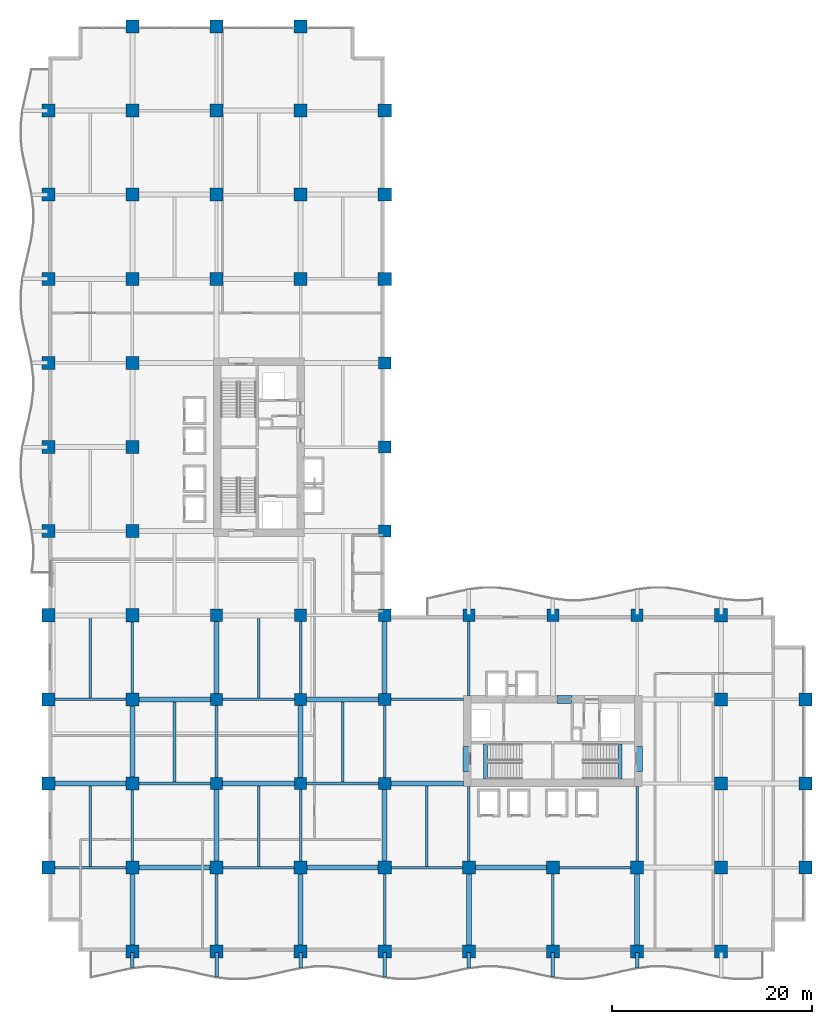
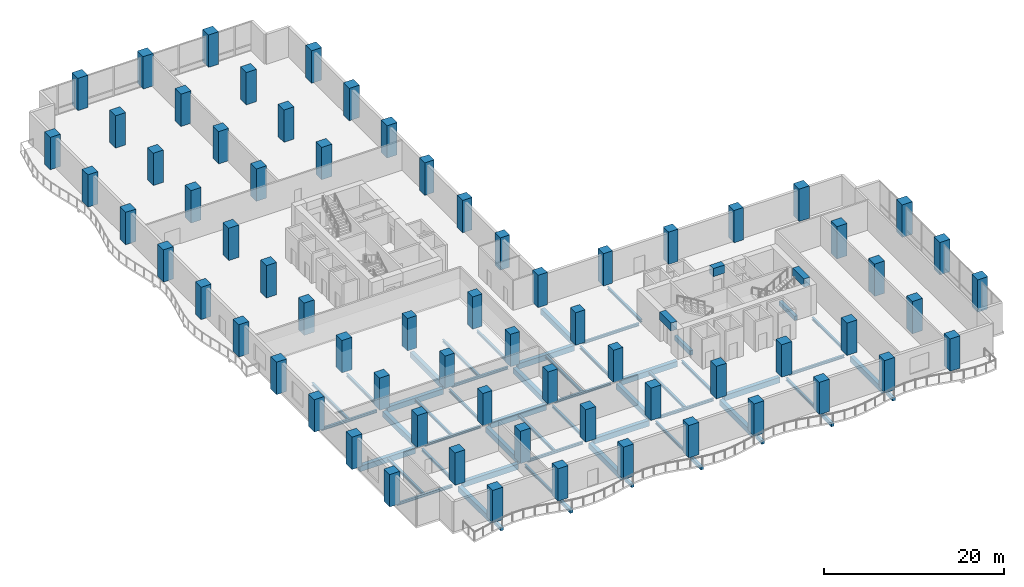
# One storey, part 1 of 24: 68 columns, 58 beams.
"""IFC4 building model written with IfcOpenShell, lengths in metres."""

from ifc_helpers import new_model, si_unit, direction, frame, origin, origin_2d, place, context, subcontext, project, spatial, rectangle, i_section, extrude, material, material_profile, profile_set, type_object, element, save


model = new_model("IFC4")

# Units and contexts
model_context = context("Model", 3, precision=1e-05, world=origin(), true_north=direction((0.0, 1.0)))
body_context = subcontext(model_context, "Body", "Model", "MODEL_VIEW")
ifc_project = project(units=[si_unit("LENGTHUNIT", "METRE"), si_unit("AREAUNIT", "SQUARE_METRE"), si_unit("VOLUMEUNIT", "CUBIC_METRE"), si_unit("PLANEANGLEUNIT", "RADIAN"), si_unit("MASSUNIT", "GRAM", prefix="KILO")], contexts=[model_context])

# Site, building, storey
site_placement = place(None, origin())
site = spatial("IfcSite", under=ifc_project, at=site_placement, CompositionType="ELEMENT")
building_placement = place(site_placement, origin())
building = spatial("IfcBuilding", under=site, at=building_placement, Name="Koriwani Terraces Tower", CompositionType="ELEMENT")
storey_placement = place(building_placement, frame((0.0, 0.0, 89.60009765625)))
storey = spatial("IfcBuildingStorey", under=building, at=storey_placement, Name="L21", CompositionType="ELEMENT", Elevation=89.60009765625)

# Columns
ifc_material_1 = material(Name="Concrete C60/75", Category="concrete")
ifc_material_profile_1 = material_profile(ifc_material_1, rectangle(XDim=1.199951171875, YDim=1.199951171875, at=origin_2d()), Name="Concrete C60/75", Category="LoadBearing")
ifc_profile_set_1 = profile_set([ifc_material_profile_1], Name="Concrete C60/75")
column_type_1 = type_object("IfcColumnType", Name="COL_RC_1200X1200", PredefinedType="COLUMN", material=ifc_profile_set_1)
for number, where, z_axis, x_axis, name in (
    (1, (16.800048828125, 16.800048828125, 0.0), (0.0, 0.0, 1.0), (1.0, 0.0, 0.0), "L21 Column 3/C"),
    (2, (16.800048828125, 25.199951171875, 0.0), (0.0, 0.0, 1.0), (1.0, 0.0, 0.0), "L21 Column 3/D"),
    (3, (16.800048828125, 33.60009765625, 0.0), (0.0, 0.0, 1.0), (1.0, 0.0, 0.0), "L21 Column 3/E"),
    (4, (25.199951171875, 16.800048828125, 0.0), (0.0, 0.0, 1.0), (1.0, 0.0, 0.0), "L21 Column 4/C"),
    (5, (25.199951171875, 25.199951171875, 0.0), (0.0, 0.0, 1.0), (1.0, 0.0, 0.0), "L21 Column 4/D"),
    (6, (25.199951171875, 33.60009765625, 0.0), (0.0, 0.0, 1.0), (1.0, 0.0, 0.0), "L21 Column 4/E"),
    (7, (33.60009765625, 16.800048828125, 0.0), (0.0, 0.0, 1.0), (1.0, 0.0, 0.0), "L21 Column 5/C"),
    (8, (33.60009765625, 25.199951171875, 0.0), (0.0, 0.0, 1.0), (1.0, 0.0, 0.0), "L21 Column 5/D"),
    (9, (33.60009765625, 33.60009765625, 0.0), (0.0, 0.0, 1.0), (1.0, 0.0, 0.0), "L21 Column 5/E"),
    (10, (33.60009765625, 42.0, 0.0), (0.0, 0.0, 1.0), (1.0, 0.0, 0.0), "L21 Column 5/F"),
    (11, (33.60009765625, 50.39990234375, 0.0), (0.0, 0.0, 1.0), (1.0, 0.0, 0.0), "L21 Column 5/G"),
    (12, (33.60009765625, 58.800048828125, 0.0), (0.0, 0.0, 1.0), (1.0, 0.0, 0.0), "L21 Column 5/H"),
    (13, (42.0, 33.60009765625, 0.0), (0.0, 0.0, 1.0), (1.0, 0.0, 0.0), "L21 Column 6/E"),
    (14, (50.39990234375, 33.60009765625, 0.0), (0.0, 0.0, 1.0), (1.0, 0.0, 0.0), "L21 Column 7/E"),
    (15, (58.800048828125, 33.60009765625, 0.0), (0.0, 0.0, 1.0), (1.0, 0.0, 0.0), "L21 Column 8/E"),
):
    element("IfcColumn", number, at=place(storey_placement, frame(where, z_axis=z_axis, x_axis=x_axis)), inside=storey, type_object=column_type_1, Name=name, PredefinedType="COLUMN", context=body_context, shape_type="SweptSolid", body=[
        extrude(rectangle(XDim=1.199951171875, YDim=1.199951171875, at=origin_2d()), origin(), (0.0, 0.0, 1.0), 4.39990234375),
    ])
ifc_material_profile_2 = material_profile(ifc_material_1, rectangle(XDim=1.300048828125, YDim=1.300048828125, at=origin_2d()), Name="Concrete C60/75", Category="LoadBearing")
ifc_profile_set_2 = profile_set([ifc_material_profile_2], Name="Concrete C60/75")
column_type_2 = type_object("IfcColumnType", Name="COL_RC_1300X1300", PredefinedType="COLUMN", material=ifc_profile_set_2)
for number, where, z_axis, x_axis, name in (
    (16, (0.0, 8.39990234375, 0.0), (0.0, 0.0, 1.0), (1.0, 0.0, 0.0), "L21 Column 1/B"),
    (17, (0.0, 16.800048828125, 0.0), (0.0, 0.0, 1.0), (1.0, 0.0, 0.0), "L21 Column 1/C"),
    (18, (0.0, 25.199951171875, 0.0), (0.0, 0.0, 1.0), (1.0, 0.0, 0.0), "L21 Column 1/D"),
    (19, (0.0, 33.60009765625, 0.0), (0.0, 0.0, 1.0), (1.0, 0.0, 0.0), "L21 Column 1/E"),
    (20, (0.0, 42.0, 0.0), (0.0, 0.0, 1.0), (1.0, 0.0, 0.0), "L21 Column 1/F"),
    (21, (0.0, 50.39990234375, 0.0), (0.0, 0.0, 1.0), (1.0, 0.0, 0.0), "L21 Column 1/G"),
    (22, (0.0, 58.800048828125, 0.0), (0.0, 0.0, 1.0), (1.0, 0.0, 0.0), "L21 Column 1/H"),
    (23, (0.0, 67.199951171875, 0.0), (0.0, 0.0, 1.0), (1.0, 0.0, 0.0), "L21 Column 1/I"),
    (24, (0.0, 75.60009765625, 0.0), (0.0, 0.0, 1.0), (1.0, 0.0, 0.0), "L21 Column 1/J"),
    (25, (0.0, 84.0, 0.0), (0.0, 0.0, 1.0), (1.0, 0.0, 0.0), "L21 Column 1/K"),
    (26, (8.39990234375, 0.0, 0.0), (0.0, 0.0, 1.0), (1.0, 0.0, 0.0), "L21 Column 2/A"),
    (27, (8.39990234375, 8.39990234375, 0.0), (0.0, 0.0, 1.0), (1.0, 0.0, 0.0), "L21 Column 2/B"),
    (28, (8.39990234375, 16.800048828125, 0.0), (0.0, 0.0, 1.0), (1.0, 0.0, 0.0), "L21 Column 2/C"),
    (29, (8.39990234375, 25.199951171875, 0.0), (0.0, 0.0, 1.0), (1.0, 0.0, 0.0), "L21 Column 2/D"),
    (30, (8.39990234375, 33.60009765625, 0.0), (0.0, 0.0, 1.0), (1.0, 0.0, 0.0), "L21 Column 2/E"),
    (31, (8.39990234375, 42.0, 0.0), (0.0, 0.0, 1.0), (1.0, 0.0, 0.0), "L21 Column 2/F"),
    (32, (8.39990234375, 50.39990234375, 0.0), (0.0, 0.0, 1.0), (1.0, 0.0, 0.0), "L21 Column 2/G"),
    (33, (8.39990234375, 58.800048828125, 0.0), (0.0, 0.0, 1.0), (1.0, 0.0, 0.0), "L21 Column 2/H"),
    (34, (8.39990234375, 67.199951171875, 0.0), (0.0, 0.0, 1.0), (1.0, 0.0, 0.0), "L21 Column 2/I"),
    (35, (8.39990234375, 75.60009765625, 0.0), (0.0, 0.0, 1.0), (1.0, 0.0, 0.0), "L21 Column 2/J"),
    (36, (8.39990234375, 84.0, 0.0), (0.0, 0.0, 1.0), (1.0, 0.0, 0.0), "L21 Column 2/K"),
    (37, (8.39990234375, 92.39990234375, 0.0), (0.0, 0.0, 1.0), (1.0, 0.0, 0.0), "L21 Column 2/L"),
    (38, (16.800048828125, 0.0, 0.0), (0.0, 0.0, 1.0), (1.0, 0.0, 0.0), "L21 Column 3/A"),
    (39, (16.800048828125, 8.39990234375, 0.0), (0.0, 0.0, 1.0), (1.0, 0.0, 0.0), "L21 Column 3/B"),
    (40, (16.800048828125, 67.199951171875, 0.0), (0.0, 0.0, 1.0), (1.0, 0.0, 0.0), "L21 Column 3/I"),
    (41, (16.800048828125, 75.60009765625, 0.0), (0.0, 0.0, 1.0), (1.0, 0.0, 0.0), "L21 Column 3/J"),
    (42, (16.800048828125, 84.0, 0.0), (0.0, 0.0, 1.0), (1.0, 0.0, 0.0), "L21 Column 3/K"),
    (43, (16.800048828125, 92.39990234375, 0.0), (0.0, 0.0, 1.0), (1.0, 0.0, 0.0), "L21 Column 3/L"),
    (44, (25.199951171875, 0.0, 0.0), (0.0, 0.0, 1.0), (1.0, 0.0, 0.0), "L21 Column 4/A"),
    (45, (25.199951171875, 8.39990234375, 0.0), (0.0, 0.0, 1.0), (1.0, 0.0, 0.0), "L21 Column 4/B"),
    (46, (25.199951171875, 67.199951171875, 0.0), (0.0, 0.0, 1.0), (1.0, 0.0, 0.0), "L21 Column 4/I"),
    (47, (25.199951171875, 75.60009765625, 0.0), (0.0, 0.0, 1.0), (1.0, 0.0, 0.0), "L21 Column 4/J"),
    (48, (25.199951171875, 84.0, 0.0), (0.0, 0.0, 1.0), (1.0, 0.0, 0.0), "L21 Column 4/K"),
    (49, (25.199951171875, 92.39990234375, 0.0), (0.0, 0.0, 1.0), (1.0, 0.0, 0.0), "L21 Column 4/L"),
    (50, (33.60009765625, 0.0, 0.0), (0.0, 0.0, 1.0), (1.0, 0.0, 0.0), "L21 Column 5/A"),
    (51, (33.60009765625, 8.39990234375, 0.0), (0.0, 0.0, 1.0), (1.0, 0.0, 0.0), "L21 Column 5/B"),
    (52, (33.60009765625, 67.199951171875, 0.0), (0.0, 0.0, 1.0), (1.0, 0.0, 0.0), "L21 Column 5/I"),
    (53, (33.60009765625, 75.60009765625, 0.0), (0.0, 0.0, 1.0), (1.0, 0.0, 0.0), "L21 Column 5/J"),
    (54, (33.60009765625, 84.0, 0.0), (0.0, 0.0, 1.0), (1.0, 0.0, 0.0), "L21 Column 5/K"),
    (55, (42.0, 0.0, 0.0), (0.0, 0.0, 1.0), (1.0, 0.0, 0.0), "L21 Column 6/A"),
    (56, (42.0, 8.39990234375, 0.0), (0.0, 0.0, 1.0), (1.0, 0.0, 0.0), "L21 Column 6/B"),
    (57, (50.39990234375, 0.0, 0.0), (0.0, 0.0, 1.0), (1.0, 0.0, 0.0), "L21 Column 7/A"),
    (58, (50.39990234375, 8.39990234375, 0.0), (0.0, 0.0, 1.0), (1.0, 0.0, 0.0), "L21 Column 7/B"),
    (59, (58.800048828125, 0.0, 0.0), (0.0, 0.0, 1.0), (1.0, 0.0, 0.0), "L21 Column 8/A"),
    (60, (58.800048828125, 8.39990234375, 0.0), (0.0, 0.0, 1.0), (1.0, 0.0, 0.0), "L21 Column 8/B"),
    (61, (67.199951171875, 0.0, 0.0), (0.0, 0.0, 1.0), (1.0, 0.0, 0.0), "L21 Column 9/A"),
    (62, (67.199951171875, 8.39990234375, 0.0), (0.0, 0.0, 1.0), (1.0, 0.0, 0.0), "L21 Column 9/B"),
    (63, (67.199951171875, 16.800048828125, 0.0), (0.0, 0.0, 1.0), (1.0, 0.0, 0.0), "L21 Column 9/C"),
    (64, (67.199951171875, 25.199951171875, 0.0), (0.0, 0.0, 1.0), (1.0, 0.0, 0.0), "L21 Column 9/D"),
    (65, (67.199951171875, 33.60009765625, 0.0), (0.0, 0.0, 1.0), (1.0, 0.0, 0.0), "L21 Column 9/E"),
    (66, (75.60009765625, 8.39990234375, 0.0), (0.0, 0.0, 1.0), (1.0, 0.0, 0.0), "L21 Column 10/B"),
    (67, (75.60009765625, 16.800048828125, 0.0), (0.0, 0.0, 1.0), (1.0, 0.0, 0.0), "L21 Column 10/C"),
    (68, (75.60009765625, 25.199951171875, 0.0), (0.0, 0.0, 1.0), (1.0, 0.0, 0.0), "L21 Column 10/D"),
):
    element("IfcColumn", number, at=place(storey_placement, frame(where, z_axis=z_axis, x_axis=x_axis)), inside=storey, type_object=column_type_2, Name=name, PredefinedType="COLUMN", context=body_context, shape_type="SweptSolid", body=[
        extrude(rectangle(XDim=1.300048828125, YDim=1.300048828125, at=origin_2d()), origin(), (0.0, 0.0, 1.0), 4.39990234375),
    ])

# Beams
ifc_material_2 = material(Name="Concrete C40/50", Category="concrete")
ifc_material_profile_3 = material_profile(ifc_material_2, rectangle(XDim=0.35009765625, YDim=0.449951171875, at=origin_2d()), Name="Concrete C40/50", Category="LoadBearing")
ifc_profile_set_3 = profile_set([ifc_material_profile_3], Name="Concrete C40/50")
beam_type_1 = type_object("IfcBeamType", Name="BEAM_RC_BALCONY_RIB_350X450", PredefinedType="JOIST", material=ifc_profile_set_3)
beam_1_placement = place(storey_placement, frame((8.39990234375, -1.59033203125, -0.47509765625), z_axis=(0.0, 1.0, 0.0), x_axis=(-1.0, 0.0, 0.0)))
element("IfcBeam", 69, at=beam_1_placement, inside=storey, type_object=beam_type_1, Name="L21 Balcony Bracket Rib S-1", PredefinedType="JOIST", context=body_context, shape_type="SweptSolid", body=[
    extrude(rectangle(XDim=0.35009765625, YDim=0.449951171875, at=origin_2d()), origin(), (0.0, 0.0, 1.0), 1.490234375),
])
beam_2_placement = place(storey_placement, frame((16.800048828125, -2.509521484375, -0.47509765625), z_axis=(0.0, 1.0, 0.0), x_axis=(-1.0, 0.0, 0.0)))
element("IfcBeam", 70, at=beam_2_placement, inside=storey, type_object=beam_type_1, Name="L21 Balcony Bracket Rib S-2", PredefinedType="JOIST", context=body_context, shape_type="SweptSolid", body=[
    extrude(rectangle(XDim=0.35009765625, YDim=0.449951171875, at=origin_2d()), origin(), (0.0, 0.0, 1.0), 2.409423828125),
])
beam_3_placement = place(storey_placement, frame((25.199951171875, -1.59033203125, -0.47509765625), z_axis=(0.0, 1.0, 0.0), x_axis=(-1.0, 0.0, 0.0)))
element("IfcBeam", 71, at=beam_3_placement, inside=storey, type_object=beam_type_1, Name="L21 Balcony Bracket Rib S-3", PredefinedType="JOIST", context=body_context, shape_type="SweptSolid", body=[
    extrude(rectangle(XDim=0.35009765625, YDim=0.449951171875, at=origin_2d()), origin(), (0.0, 0.0, 1.0), 1.490234375),
])
beam_4_placement = place(storey_placement, frame((33.60009765625, -2.509521484375, -0.47509765625), z_axis=(0.0, 1.0, 0.0), x_axis=(-1.0, 0.0, 0.0)))
element("IfcBeam", 72, at=beam_4_placement, inside=storey, type_object=beam_type_1, Name="L21 Balcony Bracket Rib S-4", PredefinedType="JOIST", context=body_context, shape_type="SweptSolid", body=[
    extrude(rectangle(XDim=0.35009765625, YDim=0.449951171875, at=origin_2d()), origin(), (0.0, 0.0, 1.0), 2.409423828125),
])
beam_5_placement = place(storey_placement, frame((42.0, -1.59033203125, -0.47509765625), z_axis=(0.0, 1.0, 0.0), x_axis=(-1.0, 0.0, 0.0)))
element("IfcBeam", 73, at=beam_5_placement, inside=storey, type_object=beam_type_1, Name="L21 Balcony Bracket Rib S-5", PredefinedType="JOIST", context=body_context, shape_type="SweptSolid", body=[
    extrude(rectangle(XDim=0.35009765625, YDim=0.449951171875, at=origin_2d()), origin(), (0.0, 0.0, 1.0), 1.490234375),
])
beam_6_placement = place(storey_placement, frame((50.39990234375, -2.509521484375, -0.47509765625), z_axis=(0.0, 1.0, 0.0), x_axis=(-1.0, 0.0, 0.0)))
element("IfcBeam", 74, at=beam_6_placement, inside=storey, type_object=beam_type_1, Name="L21 Balcony Bracket Rib S-6", PredefinedType="JOIST", context=body_context, shape_type="SweptSolid", body=[
    extrude(rectangle(XDim=0.35009765625, YDim=0.449951171875, at=origin_2d()), origin(), (0.0, 0.0, 1.0), 2.409423828125),
])
beam_7_placement = place(storey_placement, frame((58.800048828125, -1.59033203125, -0.47509765625), z_axis=(0.0, 1.0, 0.0), x_axis=(-1.0, 0.0, 0.0)))
element("IfcBeam", 75, at=beam_7_placement, inside=storey, type_object=beam_type_1, Name="L21 Balcony Bracket Rib S-7", PredefinedType="JOIST", context=body_context, shape_type="SweptSolid", body=[
    extrude(rectangle(XDim=0.35009765625, YDim=0.449951171875, at=origin_2d()), origin(), (0.0, 0.0, 1.0), 1.490234375),
])
ifc_material_profile_4 = material_profile(ifc_material_1, rectangle(XDim=0.800048828125, YDim=1.10009765625, at=origin_2d()), Name="Concrete C60/75", Category="LoadBearing")
ifc_profile_set_4 = profile_set([ifc_material_profile_4], Name="Concrete C60/75")
beam_type_2 = type_object("IfcBeamType", Name="BEAM_RC_COUPLING_800X1100", PredefinedType="LINTEL", material=ifc_profile_set_4)
beam_8_placement = place(storey_placement, frame((50.800048828125, 25.199951171875, 3.5), z_axis=(1.0, 0.0, 0.0), x_axis=(0.0, 1.0, 0.0)))
element("IfcBeam", 76, at=beam_8_placement, inside=storey, type_object=beam_type_2, Name="L21 Core Coupling Lintel Beam EN1", PredefinedType="LINTEL", context=body_context, shape_type="SweptSolid", body=[
    extrude(rectangle(XDim=0.800048828125, YDim=1.10009765625, at=origin_2d()), origin(), (0.0, 0.0, 1.0), 1.47998046875),
])
for number, where, z_axis, x_axis, name in (
    (77, (41.824951171875, 18.0, 3.5), (0.0, 1.0, 0.0), (-1.0, 0.0, 0.0), "L21 Core Coupling Lintel Beam EW"),
    (78, (58.925048828125, 18.0, 3.5), (0.0, 1.0, 0.0), (-1.0, 0.0, 0.0), "L21 Core Coupling Lintel Beam EE"),
):
    element("IfcBeam", number, at=place(storey_placement, frame(where, z_axis=z_axis, x_axis=x_axis)), inside=storey, type_object=beam_type_2, Name=name, PredefinedType="LINTEL", context=body_context, shape_type="SweptSolid", body=[
        extrude(rectangle(XDim=0.800048828125, YDim=1.10009765625, at=origin_2d()), origin(), (0.0, 0.0, 1.0), 2.5),
    ])
ifc_material_profile_5 = material_profile(ifc_material_2, rectangle(XDim=0.39990234375, YDim=0.60009765625, at=origin_2d()), Name="Concrete C40/50", Category="LoadBearing")
ifc_profile_set_5 = profile_set([ifc_material_profile_5], Name="Concrete C40/50")
beam_type_3 = type_object("IfcBeamType", Name="BEAM_RC_GRID_400X600", PredefinedType="BEAM", material=ifc_profile_set_5)
for number, where, z_axis, x_axis, name in (
    (79, (43.655029296875, 17.25, -0.300048828125), (0.0, 1.0, 0.0), (-1.0, 0.0, 0.0), "L21 Stairwell Header Trimmer Beam ST-E1"),
    (80, (57.094970703125, 17.25, -0.300048828125), (0.0, 1.0, 0.0), (-1.0, 0.0, 0.0), "L21 Stairwell Header Trimmer Beam ST-E2"),
):
    element("IfcBeam", number, at=place(storey_placement, frame(where, z_axis=z_axis, x_axis=x_axis)), inside=storey, type_object=beam_type_3, Name=name, PredefinedType="BEAM", context=body_context, shape_type="SweptSolid", body=[
        extrude(rectangle(XDim=0.39990234375, YDim=0.60009765625, at=origin_2d()), origin(), (0.0, 0.0, 1.0), 3.5),
    ])
ifc_material_3 = material(Name="Concrete C50/60", Category="concrete")
ifc_material_profile_6 = material_profile(ifc_material_3, rectangle(XDim=0.5, YDim=0.75, at=origin_2d()), Name="Concrete C50/60", Category="LoadBearing")
ifc_profile_set_6 = profile_set([ifc_material_profile_6], Name="Concrete C50/60")
beam_type_4 = type_object("IfcBeamType", Name="BEAM_RC_GRID_500X750", PredefinedType="BEAM", material=ifc_profile_set_6)
for number, where, z_axis, x_axis, name in (
    (81, (9.030029296875, 8.39990234375, -0.625), (1.0, 0.0, 0.0), (0.0, 1.0, 0.0), "L21 Grid Beam B (8.4-16.8m)"),
    (82, (25.830078125, 8.39990234375, -0.625), (1.0, 0.0, 0.0), (0.0, 1.0, 0.0), "L21 Grid Beam B (25.2-33.6m)"),
):
    element("IfcBeam", number, at=place(storey_placement, frame(where, z_axis=z_axis, x_axis=x_axis)), inside=storey, type_object=beam_type_4, Name=name, PredefinedType="BEAM", context=body_context, shape_type="SweptSolid", body=[
        extrude(rectangle(XDim=0.5, YDim=0.75, at=origin_2d()), origin(), (0.0, 0.0, 1.0), 7.139892578125),
    ])
for number, where, z_axis, x_axis, name in (
    (83, (42.6298828125, 8.39990234375, -0.625), (1.0, 0.0, 0.0), (0.0, 1.0, 0.0), "L21 Grid Beam B (42.0-50.4m)"),
    (84, (0.6298828125, 16.800048828125, -0.625), (1.0, 0.0, 0.0), (0.0, 1.0, 0.0), "L21 Grid Beam C (0.0-8.4m)"),
):
    element("IfcBeam", number, at=place(storey_placement, frame(where, z_axis=z_axis, x_axis=x_axis)), inside=storey, type_object=beam_type_4, Name=name, PredefinedType="BEAM", context=body_context, shape_type="SweptSolid", body=[
        extrude(rectangle(XDim=0.5, YDim=0.75, at=origin_2d()), origin(), (0.0, 0.0, 1.0), 7.14013671875),
    ])
beam_9_placement = place(storey_placement, frame((17.3798828125, 16.800048828125, -0.625), z_axis=(1.0, 0.0, 0.0), x_axis=(0.0, 1.0, 0.0)))
element("IfcBeam", 85, at=beam_9_placement, inside=storey, type_object=beam_type_4, Name="L21 Grid Beam C (16.8-25.2m)", PredefinedType="BEAM", context=body_context, shape_type="SweptSolid", body=[
    extrude(rectangle(XDim=0.5, YDim=0.75, at=origin_2d()), origin(), (0.0, 0.0, 1.0), 7.240234375),
])
beam_10_placement = place(storey_placement, frame((34.179931640625, 16.800048828125, -0.625), z_axis=(1.0, 0.0, 0.0), x_axis=(0.0, 1.0, 0.0)))
element("IfcBeam", 86, at=beam_10_placement, inside=storey, type_object=beam_type_4, Name="L21 Grid Beam C (33.6-42.0m)", PredefinedType="BEAM", context=body_context, shape_type="SweptSolid", body=[
    extrude(rectangle(XDim=0.5, YDim=0.75, at=origin_2d()), origin(), (0.0, 0.0, 1.0), 7.2900390625),
])
beam_11_placement = place(storey_placement, frame((9.030029296875, 25.199951171875, -0.625), z_axis=(1.0, 0.0, 0.0), x_axis=(0.0, 1.0, 0.0)))
element("IfcBeam", 87, at=beam_11_placement, inside=storey, type_object=beam_type_4, Name="L21 Grid Beam D (8.4-16.8m)", PredefinedType="BEAM", context=body_context, shape_type="SweptSolid", body=[
    extrude(rectangle(XDim=0.5, YDim=0.75, at=origin_2d()), origin(), (0.0, 0.0, 1.0), 7.18994140625),
])
beam_12_placement = place(storey_placement, frame((25.780029296875, 25.199951171875, -0.625), z_axis=(1.0, 0.0, 0.0), x_axis=(0.0, 1.0, 0.0)))
element("IfcBeam", 88, at=beam_12_placement, inside=storey, type_object=beam_type_4, Name="L21 Grid Beam D (25.2-33.6m)", PredefinedType="BEAM", context=body_context, shape_type="SweptSolid", body=[
    extrude(rectangle(XDim=0.5, YDim=0.75, at=origin_2d()), origin(), (0.0, 0.0, 1.0), 7.239990234375),
])
for number, where, z_axis, x_axis, name in (
    (89, (8.39990234375, 0.6298828125, -0.625), (0.0, 1.0, 0.0), (-1.0, 0.0, 0.0), "L21 Grid Beam 2 (0.0-8.4m)"),
    (90, (8.39990234375, 17.429931640625, -0.625), (0.0, 1.0, 0.0), (-1.0, 0.0, 0.0), "L21 Grid Beam 2 (16.8-25.2m)"),
):
    element("IfcBeam", number, at=place(storey_placement, frame(where, z_axis=z_axis, x_axis=x_axis)), inside=storey, type_object=beam_type_4, Name=name, PredefinedType="BEAM", context=body_context, shape_type="SweptSolid", body=[
        extrude(rectangle(XDim=0.5, YDim=0.75, at=origin_2d()), origin(), (0.0, 0.0, 1.0), 7.14013671875),
    ])
beam_13_placement = place(storey_placement, frame((16.800048828125, 9.030029296875, -0.625), z_axis=(0.0, 1.0, 0.0), x_axis=(-1.0, 0.0, 0.0)))
element("IfcBeam", 91, at=beam_13_placement, inside=storey, type_object=beam_type_4, Name="L21 Grid Beam 3 (8.4-16.8m)", PredefinedType="BEAM", context=body_context, shape_type="SweptSolid", body=[
    extrude(rectangle(XDim=0.5, YDim=0.75, at=origin_2d()), origin(), (0.0, 0.0, 1.0), 7.18994140625),
])
beam_14_placement = place(storey_placement, frame((16.800048828125, 25.780029296875, -0.625), z_axis=(0.0, 1.0, 0.0), x_axis=(-1.0, 0.0, 0.0)))
element("IfcBeam", 92, at=beam_14_placement, inside=storey, type_object=beam_type_4, Name="L21 Grid Beam 3 (25.2-33.6m)", PredefinedType="BEAM", context=body_context, shape_type="SweptSolid", body=[
    extrude(rectangle(XDim=0.5, YDim=0.75, at=origin_2d()), origin(), (0.0, 0.0, 1.0), 7.239990234375),
])
beam_15_placement = place(storey_placement, frame((25.199951171875, 0.6298828125, -0.625), z_axis=(0.0, 1.0, 0.0), x_axis=(-1.0, 0.0, 0.0)))
element("IfcBeam", 93, at=beam_15_placement, inside=storey, type_object=beam_type_4, Name="L21 Grid Beam 4 (0.0-8.4m)", PredefinedType="BEAM", context=body_context, shape_type="SweptSolid", body=[
    extrude(rectangle(XDim=0.5, YDim=0.75, at=origin_2d()), origin(), (0.0, 0.0, 1.0), 7.14013671875),
])
beam_16_placement = place(storey_placement, frame((25.199951171875, 17.3798828125, -0.625), z_axis=(0.0, 1.0, 0.0), x_axis=(-1.0, 0.0, 0.0)))
element("IfcBeam", 94, at=beam_16_placement, inside=storey, type_object=beam_type_4, Name="L21 Grid Beam 4 (16.8-25.2m)", PredefinedType="BEAM", context=body_context, shape_type="SweptSolid", body=[
    extrude(rectangle(XDim=0.5, YDim=0.75, at=origin_2d()), origin(), (0.0, 0.0, 1.0), 7.240234375),
])
beam_17_placement = place(storey_placement, frame((33.60009765625, 9.030029296875, -0.625), z_axis=(0.0, 1.0, 0.0), x_axis=(-1.0, 0.0, 0.0)))
element("IfcBeam", 95, at=beam_17_placement, inside=storey, type_object=beam_type_4, Name="L21 Grid Beam 5 (8.4-16.8m)", PredefinedType="BEAM", context=body_context, shape_type="SweptSolid", body=[
    extrude(rectangle(XDim=0.5, YDim=0.75, at=origin_2d()), origin(), (0.0, 0.0, 1.0), 7.18994140625),
])
beam_18_placement = place(storey_placement, frame((33.60009765625, 25.780029296875, -0.625), z_axis=(0.0, 1.0, 0.0), x_axis=(-1.0, 0.0, 0.0)))
element("IfcBeam", 96, at=beam_18_placement, inside=storey, type_object=beam_type_4, Name="L21 Grid Beam 5 (25.2-33.6m)", PredefinedType="BEAM", context=body_context, shape_type="SweptSolid", body=[
    extrude(rectangle(XDim=0.5, YDim=0.75, at=origin_2d()), origin(), (0.0, 0.0, 1.0), 7.239990234375),
])
for number, where, z_axis, x_axis, name in (
    (97, (42.0, 0.6298828125, -0.625), (0.0, 1.0, 0.0), (-1.0, 0.0, 0.0), "L21 Grid Beam 6 (0.0-8.4m)"),
    (98, (58.800048828125, 0.6298828125, -0.625), (0.0, 1.0, 0.0), (-1.0, 0.0, 0.0), "L21 Grid Beam 8 (0.0-8.4m)"),
):
    element("IfcBeam", number, at=place(storey_placement, frame(where, z_axis=z_axis, x_axis=x_axis)), inside=storey, type_object=beam_type_4, Name=name, PredefinedType="BEAM", context=body_context, shape_type="SweptSolid", body=[
        extrude(rectangle(XDim=0.5, YDim=0.75, at=origin_2d()), origin(), (0.0, 0.0, 1.0), 7.14013671875),
    ])
ifc_material_4 = material(Name="Steel ASTM A572 Grade 50", Category="steel")
ifc_material_profile_7 = material_profile(ifc_material_4, i_section(OverallWidth=0.257080078125, OverallDepth=0.363037109375, WebThickness=0.012939453125, FlangeThickness=0.021728515625, at=origin_2d()), Name="Steel ASTM A572 Grade 50", Category="LoadBearing")
ifc_profile_set_7 = profile_set([ifc_material_profile_7], Name="Steel ASTM A572 Grade 50")
beam_type_5 = type_object("IfcBeamType", Name="STEEL_BEAM_W360X122", PredefinedType="JOIST", material=ifc_profile_set_7)
for number, where, z_axis, x_axis, name in (
    (99, (0.6298828125, 8.39990234375, -0.431640625), (1.0, 0.0, 0.0), (0.0, 1.0, 0.0), "L21 Grid Beam B (0.0-8.4m)"),
    (100, (17.429931640625, 8.39990234375, -0.431640625), (1.0, 0.0, 0.0), (0.0, 1.0, 0.0), "L21 Grid Beam B (16.8-25.2m)"),
    (101, (34.22998046875, 8.39990234375, -0.431640625), (1.0, 0.0, 0.0), (0.0, 1.0, 0.0), "L21 Grid Beam B (33.6-42.0m)"),
):
    element("IfcBeam", number, at=place(storey_placement, frame(where, z_axis=z_axis, x_axis=x_axis)), inside=storey, type_object=beam_type_5, Name=name, PredefinedType="JOIST", context=body_context, shape_type="SweptSolid", body=[
        extrude(i_section(OverallWidth=0.257080078125, OverallDepth=0.363037109375, WebThickness=0.012939453125, FlangeThickness=0.021728515625, at=origin_2d()), origin(), (0.0, 0.0, 1.0), 7.14013671875),
    ])
beam_19_placement = place(storey_placement, frame((51.030029296875, 8.39990234375, -0.431640625), z_axis=(1.0, 0.0, 0.0), x_axis=(0.0, 1.0, 0.0)))
element("IfcBeam", 102, at=beam_19_placement, inside=storey, type_object=beam_type_5, Name="L21 Grid Beam B (50.4-58.8m)", PredefinedType="JOIST", context=body_context, shape_type="SweptSolid", body=[
    extrude(i_section(OverallWidth=0.257080078125, OverallDepth=0.363037109375, WebThickness=0.012939453125, FlangeThickness=0.021728515625, at=origin_2d()), origin(), (0.0, 0.0, 1.0), 7.139892578125),
])
beam_20_placement = place(storey_placement, frame((9.030029296875, 16.800048828125, -0.431640625), z_axis=(1.0, 0.0, 0.0), x_axis=(0.0, 1.0, 0.0)))
element("IfcBeam", 103, at=beam_20_placement, inside=storey, type_object=beam_type_5, Name="L21 Grid Beam C (8.4-16.8m)", PredefinedType="JOIST", context=body_context, shape_type="SweptSolid", body=[
    extrude(i_section(OverallWidth=0.257080078125, OverallDepth=0.363037109375, WebThickness=0.012939453125, FlangeThickness=0.021728515625, at=origin_2d()), origin(), (0.0, 0.0, 1.0), 7.18994140625),
])
beam_21_placement = place(storey_placement, frame((25.780029296875, 16.800048828125, -0.431640625), z_axis=(1.0, 0.0, 0.0), x_axis=(0.0, 1.0, 0.0)))
element("IfcBeam", 104, at=beam_21_placement, inside=storey, type_object=beam_type_5, Name="L21 Grid Beam C (25.2-33.6m)", PredefinedType="JOIST", context=body_context, shape_type="SweptSolid", body=[
    extrude(i_section(OverallWidth=0.257080078125, OverallDepth=0.363037109375, WebThickness=0.012939453125, FlangeThickness=0.021728515625, at=origin_2d()), origin(), (0.0, 0.0, 1.0), 7.239990234375),
])
beam_22_placement = place(storey_placement, frame((0.6298828125, 25.199951171875, -0.431640625), z_axis=(1.0, 0.0, 0.0), x_axis=(0.0, 1.0, 0.0)))
element("IfcBeam", 105, at=beam_22_placement, inside=storey, type_object=beam_type_5, Name="L21 Grid Beam D (0.0-8.4m)", PredefinedType="JOIST", context=body_context, shape_type="SweptSolid", body=[
    extrude(i_section(OverallWidth=0.257080078125, OverallDepth=0.363037109375, WebThickness=0.012939453125, FlangeThickness=0.021728515625, at=origin_2d()), origin(), (0.0, 0.0, 1.0), 7.14013671875),
])
beam_23_placement = place(storey_placement, frame((17.3798828125, 25.199951171875, -0.431640625), z_axis=(1.0, 0.0, 0.0), x_axis=(0.0, 1.0, 0.0)))
element("IfcBeam", 106, at=beam_23_placement, inside=storey, type_object=beam_type_5, Name="L21 Grid Beam D (16.8-25.2m)", PredefinedType="JOIST", context=body_context, shape_type="SweptSolid", body=[
    extrude(i_section(OverallWidth=0.257080078125, OverallDepth=0.363037109375, WebThickness=0.012939453125, FlangeThickness=0.021728515625, at=origin_2d()), origin(), (0.0, 0.0, 1.0), 7.240234375),
])
beam_24_placement = place(storey_placement, frame((34.179931640625, 25.199951171875, -0.431640625), z_axis=(1.0, 0.0, 0.0), x_axis=(0.0, 1.0, 0.0)))
element("IfcBeam", 107, at=beam_24_placement, inside=storey, type_object=beam_type_5, Name="L21 Grid Beam D (33.6-42.0m)", PredefinedType="JOIST", context=body_context, shape_type="SweptSolid", body=[
    extrude(i_section(OverallWidth=0.257080078125, OverallDepth=0.363037109375, WebThickness=0.012939453125, FlangeThickness=0.021728515625, at=origin_2d()), origin(), (0.0, 0.0, 1.0), 7.2900390625),
])
for number, where, z_axis, x_axis, name in (
    (108, (8.39990234375, 9.030029296875, -0.431640625), (0.0, 1.0, 0.0), (-1.0, 0.0, 0.0), "L21 Grid Beam 2 (8.4-16.8m)"),
    (109, (8.39990234375, 25.830078125, -0.431640625), (0.0, 1.0, 0.0), (-1.0, 0.0, 0.0), "L21 Grid Beam 2 (25.2-33.6m)"),
):
    element("IfcBeam", number, at=place(storey_placement, frame(where, z_axis=z_axis, x_axis=x_axis)), inside=storey, type_object=beam_type_5, Name=name, PredefinedType="JOIST", context=body_context, shape_type="SweptSolid", body=[
        extrude(i_section(OverallWidth=0.257080078125, OverallDepth=0.363037109375, WebThickness=0.012939453125, FlangeThickness=0.021728515625, at=origin_2d()), origin(), (0.0, 0.0, 1.0), 7.139892578125),
    ])
beam_25_placement = place(storey_placement, frame((16.800048828125, 0.6298828125, -0.431640625), z_axis=(0.0, 1.0, 0.0), x_axis=(-1.0, 0.0, 0.0)))
element("IfcBeam", 110, at=beam_25_placement, inside=storey, type_object=beam_type_5, Name="L21 Grid Beam 3 (0.0-8.4m)", PredefinedType="JOIST", context=body_context, shape_type="SweptSolid", body=[
    extrude(i_section(OverallWidth=0.257080078125, OverallDepth=0.363037109375, WebThickness=0.012939453125, FlangeThickness=0.021728515625, at=origin_2d()), origin(), (0.0, 0.0, 1.0), 7.14013671875),
])
beam_26_placement = place(storey_placement, frame((16.800048828125, 17.3798828125, -0.431640625), z_axis=(0.0, 1.0, 0.0), x_axis=(-1.0, 0.0, 0.0)))
element("IfcBeam", 111, at=beam_26_placement, inside=storey, type_object=beam_type_5, Name="L21 Grid Beam 3 (16.8-25.2m)", PredefinedType="JOIST", context=body_context, shape_type="SweptSolid", body=[
    extrude(i_section(OverallWidth=0.257080078125, OverallDepth=0.363037109375, WebThickness=0.012939453125, FlangeThickness=0.021728515625, at=origin_2d()), origin(), (0.0, 0.0, 1.0), 7.240234375),
])
beam_27_placement = place(storey_placement, frame((25.199951171875, 9.030029296875, -0.431640625), z_axis=(0.0, 1.0, 0.0), x_axis=(-1.0, 0.0, 0.0)))
element("IfcBeam", 112, at=beam_27_placement, inside=storey, type_object=beam_type_5, Name="L21 Grid Beam 4 (8.4-16.8m)", PredefinedType="JOIST", context=body_context, shape_type="SweptSolid", body=[
    extrude(i_section(OverallWidth=0.257080078125, OverallDepth=0.363037109375, WebThickness=0.012939453125, FlangeThickness=0.021728515625, at=origin_2d()), origin(), (0.0, 0.0, 1.0), 7.18994140625),
])
beam_28_placement = place(storey_placement, frame((25.199951171875, 25.780029296875, -0.431640625), z_axis=(0.0, 1.0, 0.0), x_axis=(-1.0, 0.0, 0.0)))
element("IfcBeam", 113, at=beam_28_placement, inside=storey, type_object=beam_type_5, Name="L21 Grid Beam 4 (25.2-33.6m)", PredefinedType="JOIST", context=body_context, shape_type="SweptSolid", body=[
    extrude(i_section(OverallWidth=0.257080078125, OverallDepth=0.363037109375, WebThickness=0.012939453125, FlangeThickness=0.021728515625, at=origin_2d()), origin(), (0.0, 0.0, 1.0), 7.239990234375),
])
beam_29_placement = place(storey_placement, frame((33.60009765625, 0.6298828125, -0.431640625), z_axis=(0.0, 1.0, 0.0), x_axis=(-1.0, 0.0, 0.0)))
element("IfcBeam", 114, at=beam_29_placement, inside=storey, type_object=beam_type_5, Name="L21 Grid Beam 5 (0.0-8.4m)", PredefinedType="JOIST", context=body_context, shape_type="SweptSolid", body=[
    extrude(i_section(OverallWidth=0.257080078125, OverallDepth=0.363037109375, WebThickness=0.012939453125, FlangeThickness=0.021728515625, at=origin_2d()), origin(), (0.0, 0.0, 1.0), 7.14013671875),
])
beam_30_placement = place(storey_placement, frame((33.60009765625, 17.3798828125, -0.431640625), z_axis=(0.0, 1.0, 0.0), x_axis=(-1.0, 0.0, 0.0)))
element("IfcBeam", 115, at=beam_30_placement, inside=storey, type_object=beam_type_5, Name="L21 Grid Beam 5 (16.8-25.2m)", PredefinedType="JOIST", context=body_context, shape_type="SweptSolid", body=[
    extrude(i_section(OverallWidth=0.257080078125, OverallDepth=0.363037109375, WebThickness=0.012939453125, FlangeThickness=0.021728515625, at=origin_2d()), origin(), (0.0, 0.0, 1.0), 7.240234375),
])
beam_31_placement = place(storey_placement, frame((42.0, 9.030029296875, -0.431640625), z_axis=(0.0, 1.0, 0.0), x_axis=(-1.0, 0.0, 0.0)))
element("IfcBeam", 116, at=beam_31_placement, inside=storey, type_object=beam_type_5, Name="L21 Grid Beam 6 (8.4-16.8m)", PredefinedType="JOIST", context=body_context, shape_type="SweptSolid", body=[
    extrude(i_section(OverallWidth=0.257080078125, OverallDepth=0.363037109375, WebThickness=0.012939453125, FlangeThickness=0.021728515625, at=origin_2d()), origin(), (0.0, 0.0, 1.0), 7.489990234375),
])
beam_32_placement = place(storey_placement, frame((42.0, 25.554931640625, -0.431640625), z_axis=(0.0, 1.0, 0.0), x_axis=(-1.0, 0.0, 0.0)))
element("IfcBeam", 117, at=beam_32_placement, inside=storey, type_object=beam_type_5, Name="L21 Grid Beam 6 (25.2-33.6m)", PredefinedType="JOIST", context=body_context, shape_type="SweptSolid", body=[
    extrude(i_section(OverallWidth=0.257080078125, OverallDepth=0.363037109375, WebThickness=0.012939453125, FlangeThickness=0.021728515625, at=origin_2d()), origin(), (0.0, 0.0, 1.0), 7.465087890625),
])
beam_33_placement = place(storey_placement, frame((50.39990234375, 0.6298828125, -0.431640625), z_axis=(0.0, 1.0, 0.0), x_axis=(-1.0, 0.0, 0.0)))
element("IfcBeam", 118, at=beam_33_placement, inside=storey, type_object=beam_type_5, Name="L21 Grid Beam 7 (0.0-8.4m)", PredefinedType="JOIST", context=body_context, shape_type="SweptSolid", body=[
    extrude(i_section(OverallWidth=0.257080078125, OverallDepth=0.363037109375, WebThickness=0.012939453125, FlangeThickness=0.021728515625, at=origin_2d()), origin(), (0.0, 0.0, 1.0), 7.14013671875),
])
beam_34_placement = place(storey_placement, frame((58.800048828125, 9.030029296875, -0.431640625), z_axis=(0.0, 1.0, 0.0), x_axis=(-1.0, 0.0, 0.0)))
element("IfcBeam", 119, at=beam_34_placement, inside=storey, type_object=beam_type_5, Name="L21 Grid Beam 8 (8.4-16.8m)", PredefinedType="JOIST", context=body_context, shape_type="SweptSolid", body=[
    extrude(i_section(OverallWidth=0.257080078125, OverallDepth=0.363037109375, WebThickness=0.012939453125, FlangeThickness=0.021728515625, at=origin_2d()), origin(), (0.0, 0.0, 1.0), 7.489990234375),
])
for number, where, z_axis, x_axis, name in (
    (120, (4.199951171875, 8.5185546875, -0.431640625), (0.0, 1.0, 0.0), (-1.0, 0.0, 0.0), "L21 Secondary Steel Floor Joist X=4.2m"),
    (121, (4.199951171875, 25.318603515625, -0.431640625), (0.0, 1.0, 0.0), (-1.0, 0.0, 0.0), "L21 Secondary Steel Floor Joist X=4.2m"),
    (122, (12.60009765625, 16.91845703125, -0.431640625), (0.0, 1.0, 0.0), (-1.0, 0.0, 0.0), "L21 Secondary Steel Floor Joist X=12.6m"),
    (123, (21.0, 8.5185546875, -0.431640625), (0.0, 1.0, 0.0), (-1.0, 0.0, 0.0), "L21 Secondary Steel Floor Joist X=21.0m"),
    (124, (21.0, 25.318603515625, -0.431640625), (0.0, 1.0, 0.0), (-1.0, 0.0, 0.0), "L21 Secondary Steel Floor Joist X=21.0m"),
    (125, (29.39990234375, 16.91845703125, -0.431640625), (0.0, 1.0, 0.0), (-1.0, 0.0, 0.0), "L21 Secondary Steel Floor Joist X=29.4m"),
    (126, (37.800048828125, 8.5185546875, -0.431640625), (0.0, 1.0, 0.0), (-1.0, 0.0, 0.0), "L21 Secondary Steel Floor Joist X=37.8m"),
):
    element("IfcBeam", number, at=place(storey_placement, frame(where, z_axis=z_axis, x_axis=x_axis)), inside=storey, type_object=beam_type_5, Name=name, PredefinedType="JOIST", context=body_context, shape_type="SweptSolid", body=[
        extrude(i_section(OverallWidth=0.257080078125, OverallDepth=0.363037109375, WebThickness=0.012939453125, FlangeThickness=0.021728515625, at=origin_2d()), origin(), (0.0, 0.0, 1.0), 8.04150390625),
    ])

save(model, "model.ifc")
